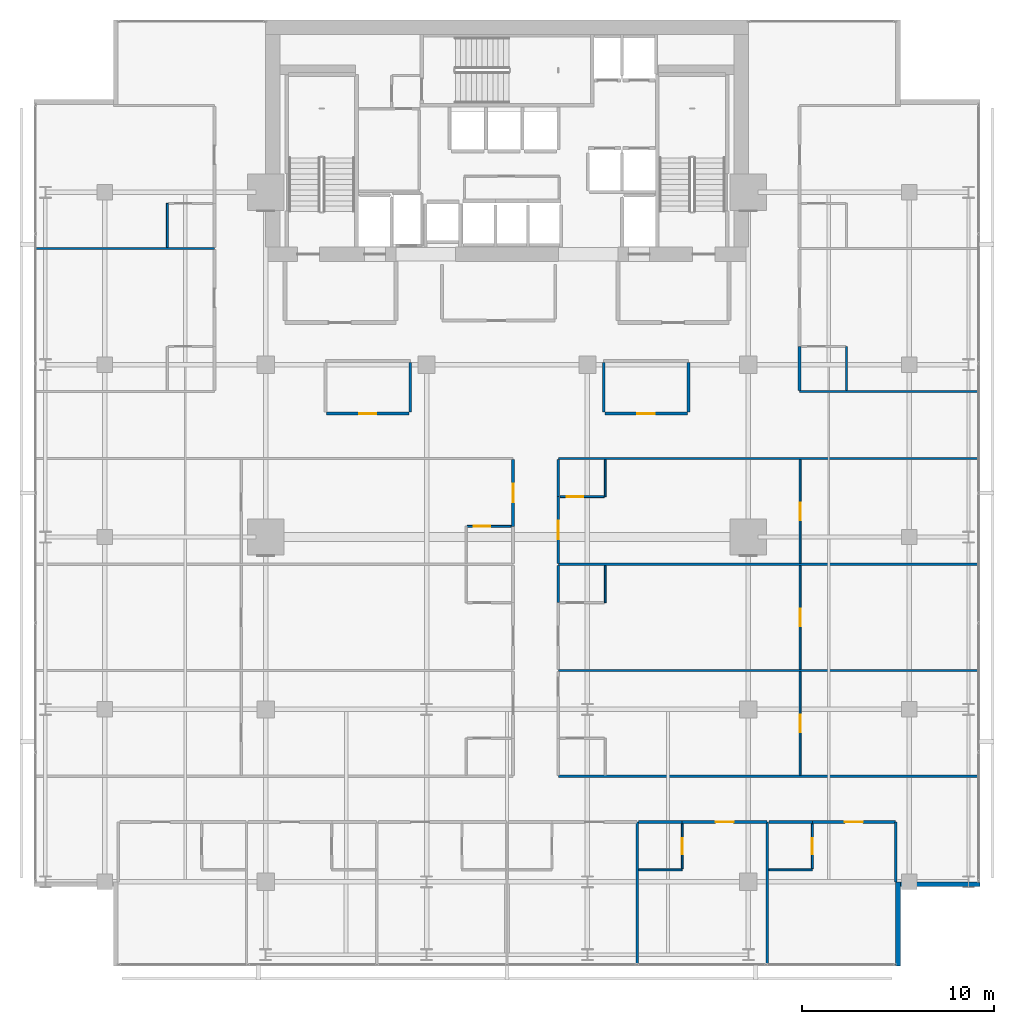
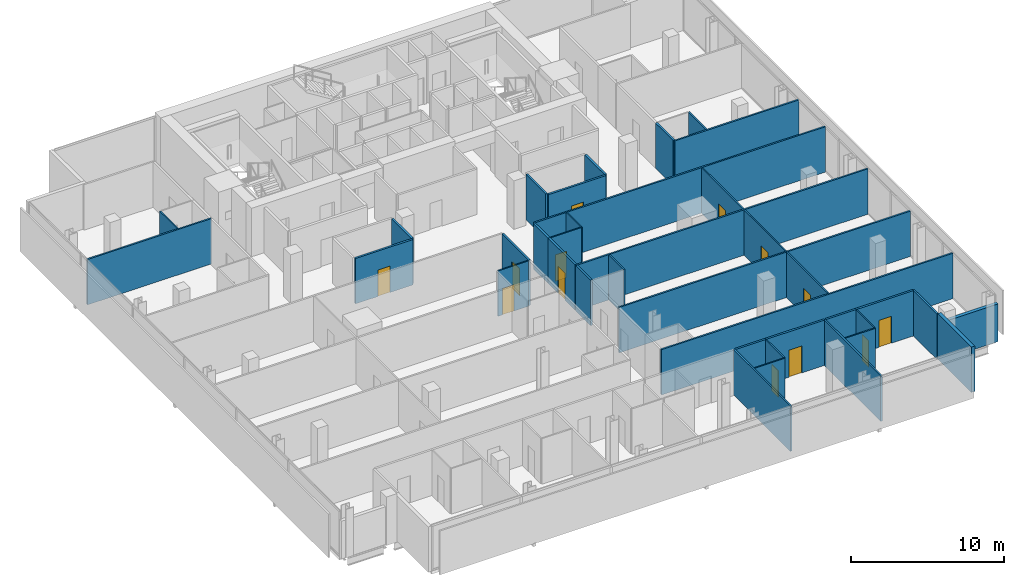
# One storey, part 28 of 33: 38 walls, 13 doors, 13 openings.
"""IFC4 building model written with IfcOpenShell, lengths in metres."""

from ifc_helpers import new_model, si_unit, direction, frame, frame_2d, origin, place, context, subcontext, project, spatial, rectangle, extrude, material, layer, layer_set, type_object, element, fill, save


model = new_model("IFC4")

# Units and contexts
model_context = context("Model", 3, precision=1e-05, world=origin(), true_north=direction((0.0, 1.0)))
body_context = subcontext(model_context, "Body", "Model", "MODEL_VIEW")
ifc_project = project(units=[si_unit("LENGTHUNIT", "METRE"), si_unit("AREAUNIT", "SQUARE_METRE"), si_unit("VOLUMEUNIT", "CUBIC_METRE"), si_unit("PLANEANGLEUNIT", "RADIAN"), si_unit("MASSUNIT", "GRAM", prefix="KILO")], contexts=[model_context])

# Site, building, storey
site_placement = place(None, origin())
site = spatial("IfcSite", under=ifc_project, at=site_placement, CompositionType="ELEMENT")
building_placement = place(site_placement, origin())
building = spatial("IfcBuilding", under=site, at=building_placement, Name="Maruvema Waterfront Hotel and Observation Tower", CompositionType="ELEMENT")
storey_placement = place(building_placement, frame((0.0, 0.0, 150.5)))
storey = spatial("IfcBuildingStorey", under=building, at=storey_placement, Name="L36", CompositionType="ELEMENT", Elevation=150.5)

# Wall
ifc_material_1 = material(Name="Twin-stud acoustic gypsum drywall", Category="gypsum")
ifc_layer_1 = layer(ifc_material_1, 0.14990234375, Name="Acoustic Corridor and Suite Demising Wall 150 mm")
ifc_layer_set_1 = layer_set([ifc_layer_1], Name="Twin-stud acoustic gypsum drywall")
wall_type_1 = type_object("IfcWallType", Name="Acoustic Corridor and Suite Demising Wall 150 mm", PredefinedType="PARTITIONING", material=ifc_layer_set_1)
wall_1_placement = place(storey_placement, frame((32.75, 33.530029296875, 0.0), z_axis=(0.0, 0.0, 1.0), x_axis=(0.0, 1.0, 0.0)))
element("IfcWall", 1, at=wall_1_placement, inside=storey, type_object=wall_type_1, Name="L36 L36-M1 East Wall 023", PredefinedType="PARTITIONING", context=body_context, shape_type="SweptSolid", body=[
    extrude(rectangle(XDim=2.590087890625, YDim=0.14990234375, at=frame_2d((1.294921875, 0.0))), origin(), (0.0, 0.0, 1.0), 3.610107421875),
])

# Wall, opening, door
wall_2_placement = place(storey_placement, frame((28.3798828125, 33.449951171875, 0.0), z_axis=(0.0, 0.0, 1.0), x_axis=(1.0, 0.0, 0.0)))
wall_2 = element("IfcWall", 2, at=wall_2_placement, inside=storey, type_object=wall_type_1, Name="L36 L36-M1 Front 1 024", PredefinedType="PARTITIONING", context=body_context, shape_type="SweptSolid", body=[
    extrude(rectangle(XDim=4.31005859375, YDim=0.14990234375, at=frame_2d((2.155029296875, 0.0))), origin(), (0.0, 0.0, 1.0), 3.610107421875),
])
opening_1_placement = place(wall_2_placement, frame((1.705078125, 0.0, 0.0)))
opening_1 = element("IfcOpeningElement", 3, at=opening_1_placement, cuts=wall_2, Name="Opening DR-090", PredefinedType="OPENING", context=body_context, shape_type="SweptSolid", body=[
    extrude(rectangle(XDim=0.89990234375, YDim=2.10009765625, at=frame_2d((0.449951171875, 1.050048828125))), frame((0.0, 0.0849609375, 0.0), z_axis=(0.0, -1.0, 0.0), x_axis=(1.0, 0.0, 0.0)), (0.0, 0.0, 1.0), 0.169921875),
])
ifc_material_2 = material(Name="Solid-core lacquered timber leaf", Category="wood")
door_type_1 = type_object("IfcDoorType", Name="Accessible Toilet and Room Door 900x2100 mm", OperationType="NOTDEFINED", PredefinedType="DOOR", material=ifc_material_2)
door_1_placement = place(opening_1_placement, frame((0.89990234375, 0.0, 0.0), z_axis=(0.0, 0.0, 1.0), x_axis=(-1.0, 0.0, 0.0)))
door_1 = element("IfcDoor", 4, at=door_1_placement, inside=storey, type_object=door_type_1, Name="L36 Study Office 1 Door", OperationType="SINGLE_SWING_LEFT", OverallHeight=2.10009765625, OverallWidth=0.89990234375, PredefinedType="DOOR", context=body_context, shape_type="SweptSolid", body=[
    extrude(rectangle(XDim=0.89990234375, YDim=2.10009765625, at=frame_2d((0.449951171875, 1.050048828125))), frame((0.0, 0.02490234375, 0.0), z_axis=(0.0, -1.0, 0.0), x_axis=(1.0, 0.0, 0.0)), (0.0, 0.0, 1.0), 0.050048828125),
])
fill(opening_1, door_1)

# Walls
for number, where, z_axis, x_axis, name in (
    (5, (42.85009765625, 33.530029296875, 0.0), (0.0, 0.0, 1.0), (0.0, 1.0, 0.0), "L36 L36-M2 West Wall 026"),
    (6, (47.280029296875, 33.530029296875, 0.0), (0.0, 0.0, 1.0), (0.0, 1.0, 0.0), "L36 L36-M2 East Wall 027"),
):
    element("IfcWall", number, at=place(storey_placement, frame(where, z_axis=z_axis, x_axis=x_axis)), inside=storey, type_object=wall_type_1, Name=name, PredefinedType="PARTITIONING", context=body_context, shape_type="SweptSolid", body=[
        extrude(rectangle(XDim=2.590087890625, YDim=0.14990234375, at=frame_2d((1.294921875, 0.0))), origin(), (0.0, 0.0, 1.0), 3.610107421875),
    ])

# Wall, opening, door
wall_3_placement = place(storey_placement, frame((42.909912109375, 33.449951171875, 0.0), z_axis=(0.0, 0.0, 1.0), x_axis=(1.0, 0.0, 0.0)))
wall_3 = element("IfcWall", 7, at=wall_3_placement, inside=storey, type_object=wall_type_1, Name="L36 L36-M2 Front 1 028", PredefinedType="PARTITIONING", context=body_context, shape_type="SweptSolid", body=[
    extrude(rectangle(XDim=4.31005859375, YDim=0.14990234375, at=frame_2d((2.155029296875, 0.0))), origin(), (0.0, 0.0, 1.0), 3.610107421875),
])
opening_2_placement = place(wall_3_placement, frame((1.705078125, 0.0, 0.0)))
opening_2 = element("IfcOpeningElement", 8, at=opening_2_placement, cuts=wall_3, Name="Opening DR-090", PredefinedType="OPENING", context=body_context, shape_type="SweptSolid", body=[
    extrude(rectangle(XDim=0.89990234375, YDim=2.10009765625, at=frame_2d((0.449951171875, 1.050048828125))), frame((0.0, 0.0849609375, 0.0), z_axis=(0.0, -1.0, 0.0), x_axis=(1.0, 0.0, 0.0)), (0.0, 0.0, 1.0), 0.169921875),
])
door_2_placement = place(opening_2_placement, frame((0.89990234375, 0.0, 0.0), z_axis=(0.0, 0.0, 1.0), x_axis=(-1.0, 0.0, 0.0)))
door_2 = element("IfcDoor", 9, at=door_2_placement, inside=storey, type_object=door_type_1, Name="L36 Tea Kitchenette Door", OperationType="SINGLE_SWING_RIGHT", OverallHeight=2.10009765625, OverallWidth=0.89990234375, PredefinedType="DOOR", context=body_context, shape_type="SweptSolid", body=[
    extrude(rectangle(XDim=0.89990234375, YDim=2.10009765625, at=frame_2d((0.449951171875, 1.050048828125))), frame((0.0, 0.02490234375, 0.0), z_axis=(0.0, -1.0, 0.0), x_axis=(1.0, 0.0, 0.0)), (0.0, 0.0, 1.0), 0.050048828125),
])
fill(opening_2, door_2)

# Wall
wall_4_placement = place(storey_placement, frame((44.679931640625, 12.1201171875, 0.0), z_axis=(0.0, 0.0, 1.0), x_axis=(1.0, 0.0, 0.0)))
element("IfcWall", 10, at=wall_4_placement, inside=storey, type_object=wall_type_1, Name="L36 Bath L36-S5 Back Wall 051", PredefinedType="PARTITIONING", context=body_context, shape_type="SweptSolid", body=[
    extrude(rectangle(XDim=2.27001953125, YDim=0.14990234375, at=frame_2d((1.135009765625, 0.0))), origin(), (0.0, 0.0, 1.0), 3.610107421875),
])

# Wall, opening, door
wall_5_placement = place(storey_placement, frame((46.949951171875, 12.1201171875, 0.0), z_axis=(0.0, 0.0, 1.0), x_axis=(1.0, 0.0, 0.0)))
wall_5 = element("IfcWall", 11, at=wall_5_placement, inside=storey, type_object=wall_type_1, Name="L36 Unit L36-S5 Corridor Wall 054", PredefinedType="PARTITIONING", context=body_context, shape_type="SweptSolid", body=[
    extrude(rectangle(XDim=4.429931640625, YDim=0.14990234375, at=frame_2d((2.21484375, 0.0))), origin(), (0.0, 0.0, 1.0), 3.610107421875),
])
opening_3_placement = place(wall_5_placement, frame((1.739990234375, 0.0, 0.0)))
opening_3 = element("IfcOpeningElement", 12, at=opening_3_placement, cuts=wall_5, Name="Opening DR-095", PredefinedType="OPENING", context=body_context, shape_type="SweptSolid", body=[
    extrude(rectangle(XDim=0.949951171875, YDim=2.14990234375, at=frame_2d((0.47509765625, 1.074951171875))), frame((0.0, 0.0849609375, 0.0), z_axis=(0.0, -1.0, 0.0), x_axis=(1.0, 0.0, 0.0)), (0.0, 0.0, 1.0), 0.169921875),
])
ifc_material_3 = material(Name="Acoustic solid-core hardwood timber leaf", Category="wood")
door_type_2 = type_object("IfcDoorType", Name="Guestroom Entrance Fire Door 950x2150 mm", OperationType="NOTDEFINED", PredefinedType="DOOR", material=ifc_material_3)
door_3_placement = place(opening_3_placement, frame((0.949951171875, 0.0, 0.0), z_axis=(0.0, 0.0, 1.0), x_axis=(-1.0, 0.0, 0.0)))
door_3 = element("IfcDoor", 13, at=door_3_placement, inside=storey, type_object=door_type_2, Name="L36 Unit L36-S5 Entrance Door", OperationType="SINGLE_SWING_RIGHT", OverallHeight=2.14990234375, OverallWidth=0.949951171875, PredefinedType="DOOR", context=body_context, shape_type="SweptSolid", body=[
    extrude(rectangle(XDim=0.949951171875, YDim=2.14990234375, at=frame_2d((0.47509765625, 1.074951171875))), frame((0.0, 0.02490234375, 0.0), z_axis=(0.0, -1.0, 0.0), x_axis=(1.0, 0.0, 0.0)), (0.0, 0.0, 1.0), 0.050048828125),
])
fill(opening_3, door_3)

# Wall
wall_6_placement = place(storey_placement, frame((51.47998046875, 12.1201171875, 0.0), z_axis=(0.0, 0.0, 1.0), x_axis=(1.0, 0.0, 0.0)))
element("IfcWall", 14, at=wall_6_placement, inside=storey, type_object=wall_type_1, Name="L36 Bath L36-S6 Back Wall 056", PredefinedType="PARTITIONING", context=body_context, shape_type="SweptSolid", body=[
    extrude(rectangle(XDim=2.27001953125, YDim=0.14990234375, at=frame_2d((1.135009765625, 0.0))), origin(), (0.0, 0.0, 1.0), 3.610107421875),
])

# Wall, opening, door
wall_7_placement = place(storey_placement, frame((53.75, 12.1201171875, 0.0), z_axis=(0.0, 0.0, 1.0), x_axis=(1.0, 0.0, 0.0)))
wall_7 = element("IfcWall", 15, at=wall_7_placement, inside=storey, type_object=wall_type_1, Name="L36 Unit L36-S6 Corridor Wall 059", PredefinedType="PARTITIONING", context=body_context, shape_type="SweptSolid", body=[
    extrude(rectangle(XDim=4.330078125, YDim=0.14990234375, at=frame_2d((2.1650390625, 0.0))), origin(), (0.0, 0.0, 1.0), 3.610107421875),
])
opening_4_placement = place(wall_7_placement, frame((1.68994140625, 0.0, 0.0)))
opening_4 = element("IfcOpeningElement", 16, at=opening_4_placement, cuts=wall_7, Name="Opening DR-095", PredefinedType="OPENING", context=body_context, shape_type="SweptSolid", body=[
    extrude(rectangle(XDim=0.949951171875, YDim=2.14990234375, at=frame_2d((0.47509765625, 1.074951171875))), frame((0.0, 0.0849609375, 0.0), z_axis=(0.0, -1.0, 0.0), x_axis=(1.0, 0.0, 0.0)), (0.0, 0.0, 1.0), 0.169921875),
])
door_4_placement = place(opening_4_placement, frame((0.949951171875, 0.0, 0.0), z_axis=(0.0, 0.0, 1.0), x_axis=(-1.0, 0.0, 0.0)))
door_4 = element("IfcDoor", 17, at=door_4_placement, inside=storey, type_object=door_type_2, Name="L36 Unit L36-S6 Entrance Door", OperationType="SINGLE_SWING_RIGHT", OverallHeight=2.14990234375, OverallWidth=0.949951171875, PredefinedType="DOOR", context=body_context, shape_type="SweptSolid", body=[
    extrude(rectangle(XDim=0.949951171875, YDim=2.14990234375, at=frame_2d((0.47509765625, 1.074951171875))), frame((0.0, 0.02490234375, 0.0), z_axis=(0.0, -1.0, 0.0), x_axis=(1.0, 0.0, 0.0)), (0.0, 0.0, 1.0), 0.050048828125),
])
fill(opening_4, door_4)

# Wall
wall_8_placement = place(storey_placement, frame((40.47998046875, 23.580078125, 0.0), z_axis=(0.0, 0.0, 1.0), x_axis=(0.0, 1.0, 0.0)))
element("IfcWall", 18, at=wall_8_placement, inside=storey, type_object=wall_type_1, Name="L36 Bath L36-E2 Wall 082", PredefinedType="PARTITIONING", context=body_context, shape_type="SweptSolid", body=[
    extrude(rectangle(XDim=1.929931640625, YDim=0.14990234375, at=frame_2d((0.96484375, 0.0))), origin(), (0.0, 0.0, 1.0), 3.610107421875),
])

# Wall, opening, door
wall_9_placement = place(storey_placement, frame((38.1201171875, 27.56005859375, 0.0), z_axis=(0.0, 0.0, 1.0), x_axis=(0.0, 1.0, 0.0)))
wall_9 = element("IfcWall", 19, at=wall_9_placement, inside=storey, type_object=wall_type_1, Name="L36 Room L36-W3 Corridor Wall 089", PredefinedType="PARTITIONING", context=body_context, shape_type="SweptSolid", body=[
    extrude(rectangle(XDim=3.47998046875, YDim=0.14990234375, at=frame_2d((1.739990234375, 0.0))), origin(), (0.0, 0.0, 1.0), 3.610107421875),
])
opening_5_placement = place(wall_9_placement, frame((1.264892578125, 0.0, 0.0)))
opening_5 = element("IfcOpeningElement", 20, at=opening_5_placement, cuts=wall_9, Name="Opening DR-095", PredefinedType="OPENING", context=body_context, shape_type="SweptSolid", body=[
    extrude(rectangle(XDim=0.949951171875, YDim=2.14990234375, at=frame_2d((0.47509765625, 1.074951171875))), frame((0.0, 0.0849609375, 0.0), z_axis=(0.0, -1.0, 0.0), x_axis=(1.0, 0.0, 0.0)), (0.0, 0.0, 1.0), 0.169921875),
])
door_5_placement = place(opening_5_placement, origin())
door_5 = element("IfcDoor", 21, at=door_5_placement, inside=storey, type_object=door_type_2, Name="L36 Room L36-W3 Entrance Door", OperationType="SINGLE_SWING_RIGHT", OverallHeight=2.14990234375, OverallWidth=0.949951171875, PredefinedType="DOOR", context=body_context, shape_type="SweptSolid", body=[
    extrude(rectangle(XDim=0.949951171875, YDim=2.14990234375, at=frame_2d((0.47509765625, 1.074951171875))), frame((0.0, 0.02490234375, 0.0), z_axis=(0.0, -1.0, 0.0), x_axis=(1.0, 0.0, 0.0)), (0.0, 0.0, 1.0), 0.050048828125),
])
fill(opening_5, door_5)

wall_10_placement = place(storey_placement, frame((40.47998046875, 25.6298828125, 0.0), z_axis=(0.0, 0.0, 1.0), x_axis=(0.0, 1.0, 0.0)))
wall_10 = element("IfcWall", 22, at=wall_10_placement, inside=storey, type_object=wall_type_1, Name="L36 Room L36-E3 Corridor Wall 093", PredefinedType="PARTITIONING", context=body_context, shape_type="SweptSolid", body=[
    extrude(rectangle(XDim=3.480224609375, YDim=0.14990234375, at=frame_2d((1.740234375, 0.0))), origin(), (0.0, 0.0, 1.0), 3.610107421875),
])
opening_6_placement = place(wall_10_placement, frame((1.264892578125, 0.0, 0.0)))
opening_6 = element("IfcOpeningElement", 23, at=opening_6_placement, cuts=wall_10, Name="Opening DR-095", PredefinedType="OPENING", context=body_context, shape_type="SweptSolid", body=[
    extrude(rectangle(XDim=0.949951171875, YDim=2.14990234375, at=frame_2d((0.47509765625, 1.074951171875))), frame((0.0, 0.0849609375, 0.0), z_axis=(0.0, -1.0, 0.0), x_axis=(1.0, 0.0, 0.0)), (0.0, 0.0, 1.0), 0.169921875),
])
door_6_placement = place(opening_6_placement, frame((0.949951171875, 0.0, 0.0), z_axis=(0.0, 0.0, 1.0), x_axis=(-1.0, 0.0, 0.0)))
door_6 = element("IfcDoor", 24, at=door_6_placement, inside=storey, type_object=door_type_2, Name="L36 Room L36-E3 Entrance Door", OperationType="SINGLE_SWING_LEFT", OverallHeight=2.14990234375, OverallWidth=0.949951171875, PredefinedType="DOOR", context=body_context, shape_type="SweptSolid", body=[
    extrude(rectangle(XDim=0.949951171875, YDim=2.14990234375, at=frame_2d((0.47509765625, 1.074951171875))), frame((0.0, 0.02490234375, 0.0), z_axis=(0.0, -1.0, 0.0), x_axis=(1.0, 0.0, 0.0)), (0.0, 0.0, 1.0), 0.050048828125),
])
fill(opening_6, door_6)

# Walls
wall_11_placement = place(storey_placement, frame((40.47998046875, 29.110107421875, 0.0), z_axis=(0.0, 0.0, 1.0), x_axis=(0.0, 1.0, 0.0)))
element("IfcWall", 25, at=wall_11_placement, inside=storey, type_object=wall_type_1, Name="L36 Bath L36-E3 Wall 094", PredefinedType="PARTITIONING", context=body_context, shape_type="SweptSolid", body=[
    extrude(rectangle(XDim=1.929931640625, YDim=0.14990234375, at=frame_2d((0.96484375, 0.0))), origin(), (0.0, 0.0, 1.0), 3.610107421875),
])
wall_12_placement = place(storey_placement, frame((53.080078125, 34.659912109375, 0.0), z_axis=(0.0, 0.0, 1.0), x_axis=(0.0, 1.0, 0.0)))
element("IfcWall", 26, at=wall_12_placement, inside=storey, type_object=wall_type_1, Name="L36 Bath L36-NE1 Wall 106", PredefinedType="PARTITIONING", context=body_context, shape_type="SweptSolid", body=[
    extrude(rectangle(XDim=2.2900390625, YDim=0.14990234375, at=frame_2d((1.14501953125, 0.0))), origin(), (0.0, 0.0, 1.0), 3.610107421875),
])
ifc_material_4 = material(Name="Moisture-resistant cement-board drywall", Category="gypsum")
ifc_layer_2 = layer(ifc_material_4, 0.10009765625, Name="En-Suite Moisture-Resistant Partition 100 mm")
ifc_layer_set_2 = layer_set([ifc_layer_2], Name="Moisture-resistant cement-board drywall")
wall_type_2 = type_object("IfcWallType", Name="En-Suite Moisture-Resistant Partition 100 mm", PredefinedType="PARTITIONING", material=ifc_layer_set_2)
wall_13_placement = place(storey_placement, frame((44.679931640625, 9.6201171875, 0.0), z_axis=(0.0, 0.0, 1.0), x_axis=(1.0, 0.0, 0.0)))
element("IfcWall", 27, at=wall_13_placement, inside=storey, type_object=wall_type_2, Name="L36 En-Suite L36-S5 South 052", PredefinedType="PARTITIONING", context=body_context, shape_type="SweptSolid", body=[
    extrude(rectangle(XDim=2.27001953125, YDim=0.10009765625, at=frame_2d((1.135009765625, 0.0))), origin(), (0.0, 0.0, 1.0), 3.610107421875),
])

# Wall, opening, door
wall_14_placement = place(storey_placement, frame((46.949951171875, 9.679931640625, 0.0), z_axis=(0.0, 0.0, 1.0), x_axis=(0.0, 1.0, 0.0)))
wall_14 = element("IfcWall", 28, at=wall_14_placement, inside=storey, type_object=wall_type_2, Name="L36 En-Suite L36-S5 East 053", PredefinedType="PARTITIONING", context=body_context, shape_type="SweptSolid", body=[
    extrude(rectangle(XDim=2.340087890625, YDim=0.10009765625, at=frame_2d((1.169921875, 0.0))), origin(), (0.0, 0.0, 1.0), 3.610107421875),
])
opening_7_placement = place(wall_14_placement, frame((0.7451171875, 0.0, 0.0)))
opening_7 = element("IfcOpeningElement", 29, at=opening_7_placement, cuts=wall_14, Name="Opening DR-085", PredefinedType="OPENING", context=body_context, shape_type="SweptSolid", body=[
    extrude(rectangle(XDim=0.85009765625, YDim=2.10009765625, at=frame_2d((0.425048828125, 1.050048828125))), frame((0.0, 0.06005859375, 0.0), z_axis=(0.0, -1.0, 0.0), x_axis=(1.0, 0.0, 0.0)), (0.0, 0.0, 1.0), 0.1201171875),
])
ifc_material_5 = material(Name="Moisture-resistant solid timber leaf", Category="wood")
door_type_3 = type_object("IfcDoorType", Name="En-Suite Bathroom Door 850x2100 mm", OperationType="NOTDEFINED", PredefinedType="DOOR", material=ifc_material_5)
door_7_placement = place(opening_7_placement, frame((0.85009765625, 0.0, 0.0), z_axis=(0.0, 0.0, 1.0), x_axis=(-1.0, 0.0, 0.0)))
door_7 = element("IfcDoor", 30, at=door_7_placement, inside=storey, type_object=door_type_3, Name="L36 En-Suite L36-S5 Door", OperationType="SINGLE_SWING_LEFT", OverallHeight=2.10009765625, OverallWidth=0.85009765625, PredefinedType="DOOR", context=body_context, shape_type="SweptSolid", body=[
    extrude(rectangle(XDim=0.85009765625, YDim=2.10009765625, at=frame_2d((0.425048828125, 1.050048828125))), frame((0.0, 0.02490234375, 0.0), z_axis=(0.0, -1.0, 0.0), x_axis=(1.0, 0.0, 0.0)), (0.0, 0.0, 1.0), 0.050048828125),
])
fill(opening_7, door_7)

# Wall
wall_15_placement = place(storey_placement, frame((51.47998046875, 9.6201171875, 0.0), z_axis=(0.0, 0.0, 1.0), x_axis=(1.0, 0.0, 0.0)))
element("IfcWall", 31, at=wall_15_placement, inside=storey, type_object=wall_type_2, Name="L36 En-Suite L36-S6 South 057", PredefinedType="PARTITIONING", context=body_context, shape_type="SweptSolid", body=[
    extrude(rectangle(XDim=2.27001953125, YDim=0.10009765625, at=frame_2d((1.135009765625, 0.0))), origin(), (0.0, 0.0, 1.0), 3.610107421875),
])

# Wall, opening, door
wall_16_placement = place(storey_placement, frame((53.75, 9.679931640625, 0.0), z_axis=(0.0, 0.0, 1.0), x_axis=(0.0, 1.0, 0.0)))
wall_16 = element("IfcWall", 32, at=wall_16_placement, inside=storey, type_object=wall_type_2, Name="L36 En-Suite L36-S6 East 058", PredefinedType="PARTITIONING", context=body_context, shape_type="SweptSolid", body=[
    extrude(rectangle(XDim=2.340087890625, YDim=0.10009765625, at=frame_2d((1.169921875, 0.0))), origin(), (0.0, 0.0, 1.0), 3.610107421875),
])
opening_8_placement = place(wall_16_placement, frame((0.7451171875, 0.0, 0.0)))
opening_8 = element("IfcOpeningElement", 33, at=opening_8_placement, cuts=wall_16, Name="Opening DR-085", PredefinedType="OPENING", context=body_context, shape_type="SweptSolid", body=[
    extrude(rectangle(XDim=0.85009765625, YDim=2.10009765625, at=frame_2d((0.425048828125, 1.050048828125))), frame((0.0, 0.06005859375, 0.0), z_axis=(0.0, -1.0, 0.0), x_axis=(1.0, 0.0, 0.0)), (0.0, 0.0, 1.0), 0.1201171875),
])
door_8_placement = place(opening_8_placement, frame((0.85009765625, 0.0, 0.0), z_axis=(0.0, 0.0, 1.0), x_axis=(-1.0, 0.0, 0.0)))
door_8 = element("IfcDoor", 34, at=door_8_placement, inside=storey, type_object=door_type_3, Name="L36 En-Suite L36-S6 Door", OperationType="SINGLE_SWING_LEFT", OverallHeight=2.10009765625, OverallWidth=0.85009765625, PredefinedType="DOOR", context=body_context, shape_type="SweptSolid", body=[
    extrude(rectangle(XDim=0.85009765625, YDim=2.10009765625, at=frame_2d((0.425048828125, 1.050048828125))), frame((0.0, 0.02490234375, 0.0), z_axis=(0.0, -1.0, 0.0), x_axis=(1.0, 0.0, 0.0)), (0.0, 0.0, 1.0), 0.050048828125),
])
fill(opening_8, door_8)

wall_17_placement = place(storey_placement, frame((53.1064453125, 14.56005859375, 0.0), z_axis=(0.0, 0.0, 1.0), x_axis=(0.0, 1.0, 0.0)))
wall_17 = element("IfcWall", 35, at=wall_17_placement, inside=storey, type_object=wall_type_2, Name="L36 Suite L36-E1 Split 073", PredefinedType="PARTITIONING", context=body_context, shape_type="SweptSolid", body=[
    extrude(rectangle(XDim=5.409912109375, YDim=0.10009765625, at=frame_2d((2.705078125, 0.0))), origin(), (0.0, 0.0, 1.0), 3.610107421875),
])
opening_9_placement = place(wall_17_placement, frame((2.2548828125, 0.0, 0.0)))
opening_9 = element("IfcOpeningElement", 36, at=opening_9_placement, cuts=wall_17, Name="Opening DR-090", PredefinedType="OPENING", context=body_context, shape_type="SweptSolid", body=[
    extrude(rectangle(XDim=0.89990234375, YDim=2.10009765625, at=frame_2d((0.449951171875, 1.050048828125))), frame((0.0, 0.06005859375, 0.0), z_axis=(0.0, -1.0, 0.0), x_axis=(1.0, 0.0, 0.0)), (0.0, 0.0, 1.0), 0.1201171875),
])
door_9_placement = place(opening_9_placement, frame((0.89990234375, 0.0, 0.0), z_axis=(0.0, 0.0, 1.0), x_axis=(-1.0, 0.0, 0.0)))
door_9 = element("IfcDoor", 37, at=door_9_placement, inside=storey, type_object=door_type_1, Name="L36 Suite L36-E1 Bedroom Door", OperationType="SINGLE_SWING_RIGHT", OverallHeight=2.10009765625, OverallWidth=0.89990234375, PredefinedType="DOOR", context=body_context, shape_type="SweptSolid", body=[
    extrude(rectangle(XDim=0.89990234375, YDim=2.10009765625, at=frame_2d((0.449951171875, 1.050048828125))), frame((0.0, 0.02490234375, 0.0), z_axis=(0.0, -1.0, 0.0), x_axis=(1.0, 0.0, 0.0)), (0.0, 0.0, 1.0), 0.050048828125),
])
fill(opening_9, door_9)

# Wall
wall_18_placement = place(storey_placement, frame((42.929931640625, 23.580078125, 0.0), z_axis=(0.0, 0.0, 1.0), x_axis=(0.0, 1.0, 0.0)))
element("IfcWall", 38, at=wall_18_placement, inside=storey, type_object=wall_type_2, Name="L36 En-Suite L36-E2 E 083", PredefinedType="PARTITIONING", context=body_context, shape_type="SweptSolid", body=[
    extrude(rectangle(XDim=1.929931640625, YDim=0.10009765625, at=frame_2d((0.96484375, 0.0))), origin(), (0.0, 0.0, 1.0), 3.610107421875),
])

# Wall, opening, door
wall_19_placement = place(storey_placement, frame((53.1064453125, 20.090087890625, 0.0), z_axis=(0.0, 0.0, 1.0), x_axis=(0.0, 1.0, 0.0)))
wall_19 = element("IfcWall", 39, at=wall_19_placement, inside=storey, type_object=wall_type_2, Name="L36 Suite L36-E2 Split 085", PredefinedType="PARTITIONING", context=body_context, shape_type="SweptSolid", body=[
    extrude(rectangle(XDim=5.419921875, YDim=0.10009765625, at=frame_2d((2.7099609375, 0.0))), origin(), (0.0, 0.0, 1.0), 3.610107421875),
])
opening_10_placement = place(wall_19_placement, frame((2.260009765625, 0.0, 0.0)))
opening_10 = element("IfcOpeningElement", 40, at=opening_10_placement, cuts=wall_19, Name="Opening DR-090", PredefinedType="OPENING", context=body_context, shape_type="SweptSolid", body=[
    extrude(rectangle(XDim=0.89990234375, YDim=2.10009765625, at=frame_2d((0.449951171875, 1.050048828125))), frame((0.0, 0.06005859375, 0.0), z_axis=(0.0, -1.0, 0.0), x_axis=(1.0, 0.0, 0.0)), (0.0, 0.0, 1.0), 0.1201171875),
])
door_10_placement = place(opening_10_placement, frame((0.89990234375, 0.0, 0.0), z_axis=(0.0, 0.0, 1.0), x_axis=(-1.0, 0.0, 0.0)))
door_10 = element("IfcDoor", 41, at=door_10_placement, inside=storey, type_object=door_type_1, Name="L36 Suite L36-E2 Bedroom Door", OperationType="SINGLE_SWING_RIGHT", OverallHeight=2.10009765625, OverallWidth=0.89990234375, PredefinedType="DOOR", context=body_context, shape_type="SweptSolid", body=[
    extrude(rectangle(XDim=0.89990234375, YDim=2.10009765625, at=frame_2d((0.449951171875, 1.050048828125))), frame((0.0, 0.02490234375, 0.0), z_axis=(0.0, -1.0, 0.0), x_axis=(1.0, 0.0, 0.0)), (0.0, 0.0, 1.0), 0.050048828125),
])
fill(opening_10, door_10)

wall_20_placement = place(storey_placement, frame((35.719970703125, 27.56005859375, 0.0), z_axis=(0.0, 0.0, 1.0), x_axis=(1.0, 0.0, 0.0)))
wall_20 = element("IfcWall", 42, at=wall_20_placement, inside=storey, type_object=wall_type_2, Name="L36 En-Suite L36-W3 N 091", PredefinedType="PARTITIONING", context=body_context, shape_type="SweptSolid", body=[
    extrude(rectangle(XDim=2.300048828125, YDim=0.10009765625, at=frame_2d((1.14990234375, 0.0))), origin(), (0.0, 0.0, 1.0), 3.610107421875),
])
opening_11_placement = place(wall_20_placement, frame((0.35009765625, 0.0, 0.0)))
opening_11 = element("IfcOpeningElement", 43, at=opening_11_placement, cuts=wall_20, Name="Opening DR-085", PredefinedType="OPENING", context=body_context, shape_type="SweptSolid", body=[
    extrude(rectangle(XDim=0.85009765625, YDim=2.10009765625, at=frame_2d((0.425048828125, 1.050048828125))), frame((0.0, 0.06005859375, 0.0), z_axis=(0.0, -1.0, 0.0), x_axis=(1.0, 0.0, 0.0)), (0.0, 0.0, 1.0), 0.1201171875),
])
door_11_placement = place(opening_11_placement, origin())
door_11 = element("IfcDoor", 44, at=door_11_placement, inside=storey, type_object=door_type_3, Name="L36 En-Suite L36-W3 Door", OperationType="SINGLE_SWING_LEFT", OverallHeight=2.10009765625, OverallWidth=0.85009765625, PredefinedType="DOOR", context=body_context, shape_type="SweptSolid", body=[
    extrude(rectangle(XDim=0.85009765625, YDim=2.10009765625, at=frame_2d((0.425048828125, 1.050048828125))), frame((0.0, 0.02490234375, 0.0), z_axis=(0.0, -1.0, 0.0), x_axis=(1.0, 0.0, 0.0)), (0.0, 0.0, 1.0), 0.050048828125),
])
fill(opening_11, door_11)

# Wall
wall_21_placement = place(storey_placement, frame((42.929931640625, 29.110107421875, 0.0), z_axis=(0.0, 0.0, 1.0), x_axis=(0.0, 1.0, 0.0)))
element("IfcWall", 45, at=wall_21_placement, inside=storey, type_object=wall_type_2, Name="L36 En-Suite L36-E3 E 095", PredefinedType="PARTITIONING", context=body_context, shape_type="SweptSolid", body=[
    extrude(rectangle(XDim=1.929931640625, YDim=0.10009765625, at=frame_2d((0.96484375, 0.0))), origin(), (0.0, 0.0, 1.0), 3.610107421875),
])

# Wall, opening, door
wall_22_placement = place(storey_placement, frame((40.580078125, 29.110107421875, 0.0), z_axis=(0.0, 0.0, 1.0), x_axis=(1.0, 0.0, 0.0)))
wall_22 = element("IfcWall", 46, at=wall_22_placement, inside=storey, type_object=wall_type_2, Name="L36 En-Suite L36-E3 S 096", PredefinedType="PARTITIONING", context=body_context, shape_type="SweptSolid", body=[
    extrude(rectangle(XDim=2.2998046875, YDim=0.10009765625, at=frame_2d((1.14990234375, 0.0))), origin(), (0.0, 0.0, 1.0), 3.610107421875),
])
opening_12_placement = place(wall_22_placement, frame((0.35009765625, 0.0, 0.0)))
opening_12 = element("IfcOpeningElement", 47, at=opening_12_placement, cuts=wall_22, Name="Opening DR-085", PredefinedType="OPENING", context=body_context, shape_type="SweptSolid", body=[
    extrude(rectangle(XDim=0.85009765625, YDim=2.10009765625, at=frame_2d((0.425048828125, 1.050048828125))), frame((0.0, 0.06005859375, 0.0), z_axis=(0.0, -1.0, 0.0), x_axis=(1.0, 0.0, 0.0)), (0.0, 0.0, 1.0), 0.1201171875),
])
door_12_placement = place(opening_12_placement, frame((0.85009765625, 0.0, 0.0), z_axis=(0.0, 0.0, 1.0), x_axis=(-1.0, 0.0, 0.0)))
door_12 = element("IfcDoor", 48, at=door_12_placement, inside=storey, type_object=door_type_3, Name="L36 En-Suite L36-E3 Door", OperationType="SINGLE_SWING_RIGHT", OverallHeight=2.10009765625, OverallWidth=0.85009765625, PredefinedType="DOOR", context=body_context, shape_type="SweptSolid", body=[
    extrude(rectangle(XDim=0.85009765625, YDim=2.10009765625, at=frame_2d((0.425048828125, 1.050048828125))), frame((0.0, 0.02490234375, 0.0), z_axis=(0.0, -1.0, 0.0), x_axis=(1.0, 0.0, 0.0)), (0.0, 0.0, 1.0), 0.050048828125),
])
fill(opening_12, door_12)

wall_23_placement = place(storey_placement, frame((53.1064453125, 25.6298828125, 0.0), z_axis=(0.0, 0.0, 1.0), x_axis=(0.0, 1.0, 0.0)))
wall_23 = element("IfcWall", 49, at=wall_23_placement, inside=storey, type_object=wall_type_2, Name="L36 Suite L36-E3 Split 097", PredefinedType="PARTITIONING", context=body_context, shape_type="SweptSolid", body=[
    extrude(rectangle(XDim=5.41015625, YDim=0.10009765625, at=frame_2d((2.705078125, 0.0))), origin(), (0.0, 0.0, 1.0), 3.610107421875),
])
opening_13_placement = place(wall_23_placement, frame((2.2548828125, 0.0, 0.0)))
opening_13 = element("IfcOpeningElement", 50, at=opening_13_placement, cuts=wall_23, Name="Opening DR-090", PredefinedType="OPENING", context=body_context, shape_type="SweptSolid", body=[
    extrude(rectangle(XDim=0.89990234375, YDim=2.10009765625, at=frame_2d((0.449951171875, 1.050048828125))), frame((0.0, 0.06005859375, 0.0), z_axis=(0.0, -1.0, 0.0), x_axis=(1.0, 0.0, 0.0)), (0.0, 0.0, 1.0), 0.1201171875),
])
door_13_placement = place(opening_13_placement, frame((0.89990234375, 0.0, 0.0), z_axis=(0.0, 0.0, 1.0), x_axis=(-1.0, 0.0, 0.0)))
door_13 = element("IfcDoor", 51, at=door_13_placement, inside=storey, type_object=door_type_1, Name="L36 Suite L36-E3 Bedroom Door", OperationType="SINGLE_SWING_RIGHT", OverallHeight=2.10009765625, OverallWidth=0.89990234375, PredefinedType="DOOR", context=body_context, shape_type="SweptSolid", body=[
    extrude(rectangle(XDim=0.89990234375, YDim=2.10009765625, at=frame_2d((0.449951171875, 1.050048828125))), frame((0.0, 0.02490234375, 0.0), z_axis=(0.0, -1.0, 0.0), x_axis=(1.0, 0.0, 0.0)), (0.0, 0.0, 1.0), 0.050048828125),
])
fill(opening_13, door_13)

# Walls
wall_24_placement = place(storey_placement, frame((55.530029296875, 34.659912109375, 0.0), z_axis=(0.0, 0.0, 1.0), x_axis=(0.0, 1.0, 0.0)))
element("IfcWall", 52, at=wall_24_placement, inside=storey, type_object=wall_type_2, Name="L36 En-Suite L36-NE1 E 108", PredefinedType="PARTITIONING", context=body_context, shape_type="SweptSolid", body=[
    extrude(rectangle(XDim=2.2900390625, YDim=0.10009765625, at=frame_2d((1.14501953125, 0.0))), origin(), (0.0, 0.0, 1.0), 3.610107421875),
])
wall_25_placement = place(storey_placement, frame((20.070068359375, 42.12890625, 0.0), z_axis=(0.0, 0.0, 1.0), x_axis=(0.0, 1.0, 0.0)))
element("IfcWall", 53, at=wall_25_placement, inside=storey, type_object=wall_type_2, Name="L36 En-Suite L36-NW2 W 114", PredefinedType="PARTITIONING", context=body_context, shape_type="SweptSolid", body=[
    extrude(rectangle(XDim=2.289794921875, YDim=0.10009765625, at=frame_2d((1.14501953125, 0.0))), origin(), (0.0, 0.0, 1.0), 3.610107421875),
])
ifc_material_6 = material(Name="Precast concrete C45/55 with honed Pernambuco granite facing", Category="masonry")
ifc_layer_3 = layer(ifc_material_6, 0.260009765625, Name="Exterior Granite Clad Spandrel and Pier Wall 260 mm")
ifc_layer_set_3 = layer_set([ifc_layer_3], Name="Precast concrete C45/55 with honed Pernambuco granite facing")
wall_type_3 = type_object("IfcWallType", Name="Exterior Granite Clad Spandrel and Pier Wall 260 mm", PredefinedType="SOLIDWALL", material=ifc_layer_set_3)
wall_26_placement = place(storey_placement, frame((58.22998046875, 9.0, 0.0), z_axis=(0.0, 0.0, 1.0), x_axis=(0.0, -1.0, 0.0)))
element("IfcWall", 54, at=wall_26_placement, inside=storey, type_object=wall_type_3, Name="L36 Corner Notch Granite Pier Wall SE1", PredefinedType="SOLIDWALL", context=body_context, shape_type="SweptSolid", body=[
    extrude(rectangle(XDim=4.39990234375, YDim=0.260009765625, at=frame_2d((2.199951171875, 0.0))), origin(), (0.0, 0.0, 1.0), 3.610107421875),
])
wall_27_placement = place(storey_placement, frame((62.5, 8.8701171875, 0.0), z_axis=(0.0, 0.0, 1.0), x_axis=(-1.0, 0.0, 0.0)))
element("IfcWall", 55, at=wall_27_placement, inside=storey, type_object=wall_type_3, Name="L36 Corner Notch Granite Pier Wall SE2", PredefinedType="SOLIDWALL", context=body_context, shape_type="SweptSolid", body=[
    extrude(rectangle(XDim=4.39990234375, YDim=0.260009765625, at=frame_2d((2.199951171875, 0.0))), origin(), (0.0, 0.0, 1.0), 2.998046875),
])
ifc_material_7 = material(Name="Acoustic gypsum plasterboard drywall", Category="gypsum")
ifc_layer_4 = layer(ifc_material_7, 0.125, Name="Guestroom Acoustic Demising Wall 125 mm")
ifc_layer_set_4 = layer_set([ifc_layer_4], Name="Acoustic gypsum plasterboard drywall")
wall_type_4 = type_object("IfcWallType", Name="Guestroom Acoustic Demising Wall 125 mm", PredefinedType="PARTITIONING", material=ifc_layer_set_4)
wall_28_placement = place(storey_placement, frame((58.10009765625, 9.0, 0.0), z_axis=(0.0, 0.0, 1.0), x_axis=(0.0, 1.0, 0.0)))
element("IfcWall", 56, at=wall_28_placement, inside=storey, type_object=wall_type_4, Name="L36 Z2 S East End 030", PredefinedType="PARTITIONING", context=body_context, shape_type="SweptSolid", body=[
    extrude(rectangle(XDim=3.1201171875, YDim=0.125, at=frame_2d((1.56005859375, 0.0))), origin(), (0.0, 0.0, 1.0), 3.610107421875),
])
for number, where, z_axis, x_axis, name in (
    (57, (44.60009765625, 4.699951171875, 0.0), (0.0, 0.0, 1.0), (0.0, 1.0, 0.0), "L36 Z2 S Demising 5 050"),
    (58, (51.39990234375, 4.699951171875, 0.0), (0.0, 0.0, 1.0), (0.0, 1.0, 0.0), "L36 Z2 S Demising 6 055"),
):
    element("IfcWall", number, at=place(storey_placement, frame(where, z_axis=z_axis, x_axis=x_axis)), inside=storey, type_object=wall_type_4, Name=name, PredefinedType="PARTITIONING", context=body_context, shape_type="SweptSolid", body=[
        extrude(rectangle(XDim=7.420166015625, YDim=0.125, at=frame_2d((3.7099609375, 0.0))), origin(), (0.0, 0.0, 1.0), 3.610107421875),
    ])
for number, where, z_axis, x_axis, name in (
    (59, (40.47998046875, 14.5, 0.0), (0.0, 0.0, 1.0), (1.0, 0.0, 0.0), "L36 Z2 E Bot End 061"),
    (60, (40.47998046875, 31.10009765625, 0.0), (0.0, 0.0, 1.0), (1.0, 0.0, 0.0), "L36 Z2 E Top End 063"),
    (61, (40.47998046875, 20.030029296875, 0.0), (0.0, 0.0, 1.0), (1.0, 0.0, 0.0), "L36 Z2 E Demising 2 075"),
    (62, (40.47998046875, 25.570068359375, 0.0), (0.0, 0.0, 1.0), (1.0, 0.0, 0.0), "L36 Z2 E Demising 3 087"),
):
    element("IfcWall", number, at=place(storey_placement, frame(where, z_axis=z_axis, x_axis=x_axis)), inside=storey, type_object=wall_type_4, Name=name, PredefinedType="PARTITIONING", context=body_context, shape_type="SweptSolid", body=[
        extrude(rectangle(XDim=21.919921875, YDim=0.125, at=frame_2d((10.9599609375, 0.0))), origin(), (0.0, 0.0, 1.0), 3.610107421875),
    ])
wall_29_placement = place(storey_placement, frame((53.080078125, 34.60009765625, 0.0), z_axis=(0.0, 0.0, 1.0), x_axis=(1.0, 0.0, 0.0)))
element("IfcWall", 63, at=wall_29_placement, inside=storey, type_object=wall_type_4, Name="L36 Z2 NE Bot End 099", PredefinedType="PARTITIONING", context=body_context, shape_type="SweptSolid", body=[
    extrude(rectangle(XDim=9.31982421875, YDim=0.125, at=frame_2d((4.659912109375, 0.0))), origin(), (0.0, 0.0, 1.0), 3.610107421875),
])
wall_30_placement = place(storey_placement, frame((13.199951171875, 42.06884765625, 0.0), z_axis=(0.0, 0.0, 1.0), x_axis=(1.0, 0.0, 0.0)))
element("IfcWall", 64, at=wall_30_placement, inside=storey, type_object=wall_type_4, Name="L36 Z2 NW Demising 2 110", PredefinedType="PARTITIONING", context=body_context, shape_type="SweptSolid", body=[
    extrude(rectangle(XDim=9.320068359375, YDim=0.125, at=frame_2d((4.66015625, 0.0))), origin(), (0.0, 0.0, 1.0), 3.610107421875),
])

save(model, "model.ifc")
